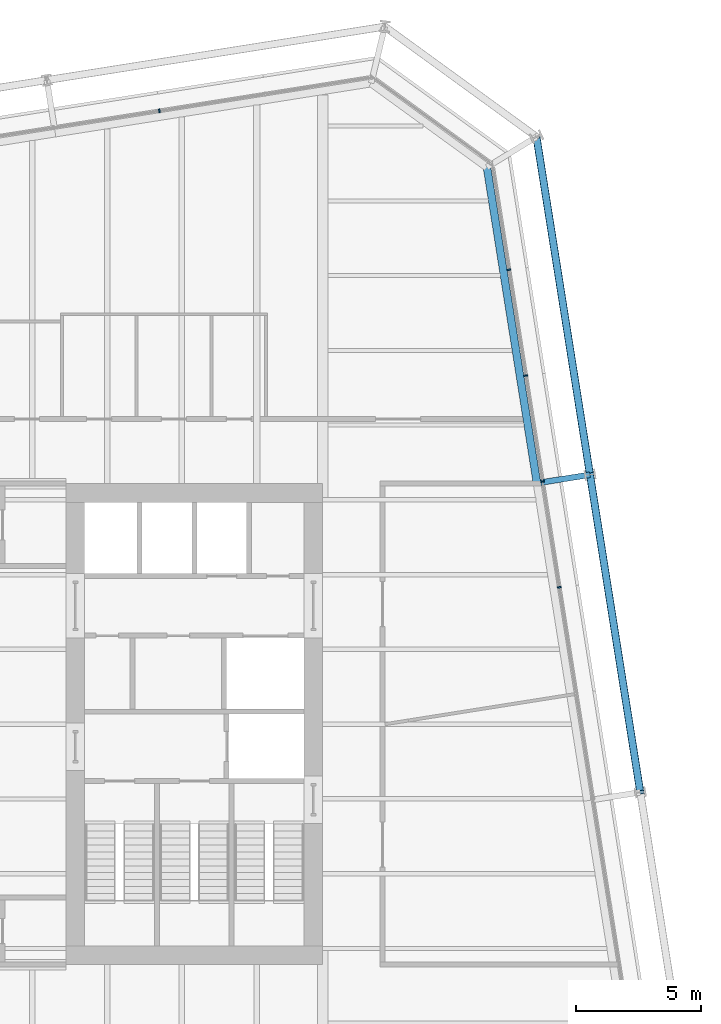
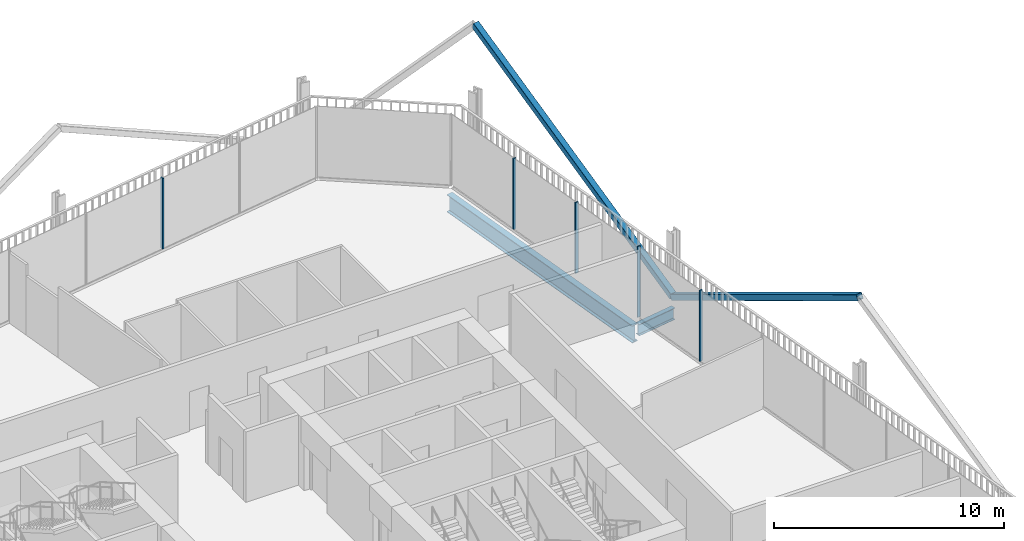
# One storey, part 15 of 22: 7 members, 2 beams, 2 elements without a shape of their own.
"""IFC4 building model written with IfcOpenShell, lengths in metres."""

from ifc_helpers import new_model, si_unit, direction, frame, origin, origin_2d, place, context, subcontext, project, spatial, rectangle, hollow_rectangle, i_section, extrude, material, layer, layer_set, material_profile, profile_set, type_object, element, aggregate, save


model = new_model("IFC4")

# Units and contexts
model_context = context("Model", 3, precision=1e-05, world=origin(), true_north=direction((0.0, 1.0)))
body_context = subcontext(model_context, "Body", "Model", "MODEL_VIEW")
ifc_project = project(units=[si_unit("LENGTHUNIT", "METRE"), si_unit("AREAUNIT", "SQUARE_METRE"), si_unit("VOLUMEUNIT", "CUBIC_METRE"), si_unit("PLANEANGLEUNIT", "RADIAN"), si_unit("MASSUNIT", "GRAM", prefix="KILO")], contexts=[model_context])

# Site, building, storey
site_placement = place(None, origin())
site = spatial("IfcSite", under=ifc_project, at=site_placement, CompositionType="ELEMENT")
building_placement = place(site_placement, origin())
building = spatial("IfcBuilding", under=site, at=building_placement, Name="Millrace Tower", CompositionType="ELEMENT")
storey_placement = place(building_placement, frame((0.0, 0.0, 187.800048828125)))
storey = spatial("IfcBuildingStorey", under=building, at=storey_placement, Name="L42", CompositionType="ELEMENT", Elevation=187.800048828125)

# Curtain wall, members
ifc_material_1 = material(Name="Aluminium and glass", Category="aluminium")
ifc_layer = layer(ifc_material_1, 0.14990234375)
ifc_layer_set = layer_set([ifc_layer], Name="Aluminium and glass")
curtain_wall_type = type_object("IfcCurtainWallType", Name="CW-1 office vision curtain wall", PredefinedType="NOTDEFINED", material=ifc_layer_set)
placement = place(storey_placement, origin())
curtain_wall_1 = element("IfcCurtainWall", 1, at=placement, inside=storey, type_object=curtain_wall_type, Name="Curtain wall C-F04 L42", PredefinedType="NOTDEFINED")
ifc_material_2 = material(Name="Aluminium", Category="aluminium")
ifc_material_profile_1 = material_profile(ifc_material_2, rectangle(XDim=0.06494140625, YDim=0.14990234375, at=origin_2d()))
ifc_profile_set_1 = profile_set([ifc_material_profile_1], Name="Aluminium")
member_type_1 = type_object("IfcMemberType", Name="CW-1 office vision curtain wall mullion", PredefinedType="MULLION", material=ifc_profile_set_1)
member_1_placement = place(storey_placement, frame((24.143310546875, 5.49365234375, 0.139892578125), z_axis=(0.0, 0.0, 1.0), x_axis=(-0.15643447328, 0.98768833929, 0.0)))
member_1 = element("IfcMember", 2, at=member_1_placement, type_object=member_type_1, Name="CW1 mullion C-F04.6", PredefinedType="MULLION", context=body_context, shape_type="SweptSolid", body=[
    extrude(rectangle(XDim=0.06494140625, YDim=0.14990234375, at=origin_2d()), origin(), (0.0, 0.0, 1.0), 3.760009765625),
])
member_2_placement = place(storey_placement, frame((23.470703125, 9.74072265625, 0.139892578125), z_axis=(0.0, 0.0, 1.0), x_axis=(-0.15643447328, 0.98768833929, 0.0)))
member_2 = element("IfcMember", 3, at=member_2_placement, type_object=member_type_1, Name="CW1 mullion C-F04.7", PredefinedType="MULLION", context=body_context, shape_type="SweptSolid", body=[
    extrude(rectangle(XDim=0.06494140625, YDim=0.14990234375, at=origin_2d()), origin(), (0.0, 0.0, 1.0), 3.760009765625),
])
member_3_placement = place(storey_placement, frame((22.798095703125, 13.98779296875, 0.139892578125), z_axis=(0.0, 0.0, 1.0), x_axis=(-0.15643447328, 0.98768833929, 0.0)))
member_3 = element("IfcMember", 4, at=member_3_placement, type_object=member_type_1, Name="CW1 mullion C-F04.8", PredefinedType="MULLION", context=body_context, shape_type="SweptSolid", body=[
    extrude(rectangle(XDim=0.06494140625, YDim=0.14990234375, at=origin_2d()), origin(), (0.0, 0.0, 1.0), 3.760009765625),
])
member_4_placement = place(storey_placement, frame((22.125244140625, 18.23486328125, 0.139892578125), z_axis=(0.0, 0.0, 1.0), x_axis=(-0.15643447328, 0.98768833929, 0.0)))
member_4 = element("IfcMember", 5, at=member_4_placement, type_object=member_type_1, Name="CW1 mullion C-F04.9", PredefinedType="MULLION", context=body_context, shape_type="SweptSolid", body=[
    extrude(rectangle(XDim=0.06494140625, YDim=0.14990234375, at=origin_2d()), origin(), (0.0, 0.0, 1.0), 3.760009765625),
])
aggregate(curtain_wall_1, [member_1, member_2, member_3, member_4])

# Curtain wall, member
curtain_wall_2 = element("IfcCurtainWall", 6, at=placement, inside=storey, type_object=curtain_wall_type, Name="Curtain wall C-F06 L42", PredefinedType="NOTDEFINED")
member_5_placement = place(storey_placement, frame((8.09765625, 24.611328125, 0.139892578125), z_axis=(0.0, 0.0, 1.0), x_axis=(-0.98768833929, -0.15643447328, 0.0)))
member_5 = element("IfcMember", 7, at=member_5_placement, type_object=member_type_1, Name="CW1 mullion C-F06.3", PredefinedType="MULLION", context=body_context, shape_type="SweptSolid", body=[
    extrude(rectangle(XDim=0.06494140625, YDim=0.14990234375, at=origin_2d()), origin(), (0.0, 0.0, 1.0), 3.760009765625),
])
aggregate(curtain_wall_2, [member_5])

# Members
ifc_material_3 = material(Name="Steel ASTM A500 Grade C", Category="steel")
ifc_material_profile_2 = material_profile(ifc_material_3, hollow_rectangle(XDim=0.3046875, YDim=0.3046875, WallThickness=0.0126953125, InnerFilletRadius=0.00634765625, OuterFilletRadius=0.01904296875, at=origin_2d()))
ifc_profile_set_2 = profile_set([ifc_material_profile_2], Name="Steel ASTM A500 Grade C")
member_type_2 = type_object("IfcMemberType", Name="Exoskeleton brace HSS12x12x1/2", PredefinedType="BRACE", material=ifc_profile_set_2)
member_6_placement = place(storey_placement, frame((25.376953125, 10.009765625, 0.39990234375), z_axis=(0.137499609887, -0.868113917345, 0.476940335673), x_axis=(0.987687659758, 0.156438763615, 0.0)))
element("IfcMember", 8, at=member_6_placement, inside=storey, type_object=member_type_2, Name="BRC-C-L42-07", PredefinedType="BRACE", context=body_context, shape_type="SweptSolid", body=[
    extrude(hollow_rectangle(XDim=0.3046875, YDim=0.3046875, WallThickness=0.0126953125, InnerFilletRadius=0.00634765625, OuterFilletRadius=0.01904296875, at=origin_2d()), origin(), (0.0, 0.0, 1.0), 14.677001953125),
])
member_7_placement = place(storey_placement, frame((25.376953125, 10.009765625, 0.39990234375), z_axis=(-0.139355372932, 0.879906554943, 0.454251620363), x_axis=(-0.987689751328, -0.156425557764, 0.0)))
element("IfcMember", 9, at=member_7_placement, inside=storey, type_object=member_type_2, Name="BRC-C-L42-08", PredefinedType="BRACE", context=body_context, shape_type="SweptSolid", body=[
    extrude(hollow_rectangle(XDim=0.3046875, YDim=0.3046875, WallThickness=0.0126953125, InnerFilletRadius=0.00634765625, OuterFilletRadius=0.01904296875, at=origin_2d()), origin(), (0.0, 0.0, 1.0), 15.409912109375),
])

# Beams
ifc_material_4 = material(Name="Steel ASTM A992 Grade 50", Category="steel")
ifc_material_profile_3 = material_profile(ifc_material_4, i_section(OverallWidth=0.23046875, OverallDepth=0.6171875, WebThickness=0.01318359375, FlangeThickness=0.022216796875, FilletRadius=0.012939453125, at=origin_2d()))
ifc_profile_set_3 = profile_set([ifc_material_profile_3], Name="Steel ASTM A992 Grade 50")
beam_type_1 = type_object("IfcBeamType", Name="Link beam W24x94", PredefinedType="BEAM", material=ifc_profile_set_3)
beam_1_placement = place(storey_placement, frame((23.401611328125, 9.69677734375, -0.46875), z_axis=(0.987678691416, 0.156495375404, 0.0), x_axis=(-0.156495375404, 0.987678691416, 0.0)))
element("IfcBeam", 10, at=beam_1_placement, inside=storey, type_object=beam_type_1, Name="LNK-C-L42-S1-10", PredefinedType="BEAM", context=body_context, shape_type="SweptSolid", body=[
    extrude(i_section(OverallWidth=0.23046875, OverallDepth=0.6171875, WebThickness=0.01318359375, FlangeThickness=0.022216796875, FilletRadius=0.012939453125, at=origin_2d()), origin(), (0.0, 0.0, 1.0), 2.0),
])
ifc_material_5 = material(Name="Steel ASTM A992 Grade 50", Category="steel")
ifc_material_profile_4 = material_profile(ifc_material_5, i_section(OverallWidth=0.307373046875, OverallDepth=0.927001953125, WebThickness=0.01953125, FlangeThickness=0.031982421875, FilletRadius=0.01904296875, at=origin_2d()))
ifc_profile_set_4 = profile_set([ifc_material_profile_4], Name="Steel ASTM A992 Grade 50")
beam_type_2 = type_object("IfcBeamType", Name="Ring beam medium span W36x194", PredefinedType="SPANDREL", material=ifc_profile_set_4)
beam_2_placement = place(storey_placement, frame((21.241943359375, 22.35107421875, -0.62353515625), z_axis=(0.156436246498, -0.987688058438, 0.0), x_axis=(0.987688058438, 0.156436246498, 0.0)))
element("IfcBeam", 11, at=beam_2_placement, inside=storey, type_object=beam_type_2, Name="RNG-C-L42-S1-09", PredefinedType="SPANDREL", context=body_context, shape_type="SweptSolid", body=[
    extrude(i_section(OverallWidth=0.307373046875, OverallDepth=0.927001953125, WebThickness=0.01953125, FlangeThickness=0.031982421875, FilletRadius=0.01904296875, at=origin_2d()), origin(), (0.0, 0.0, 1.0), 12.836181640625),
])

save(model, "model.ifc")
